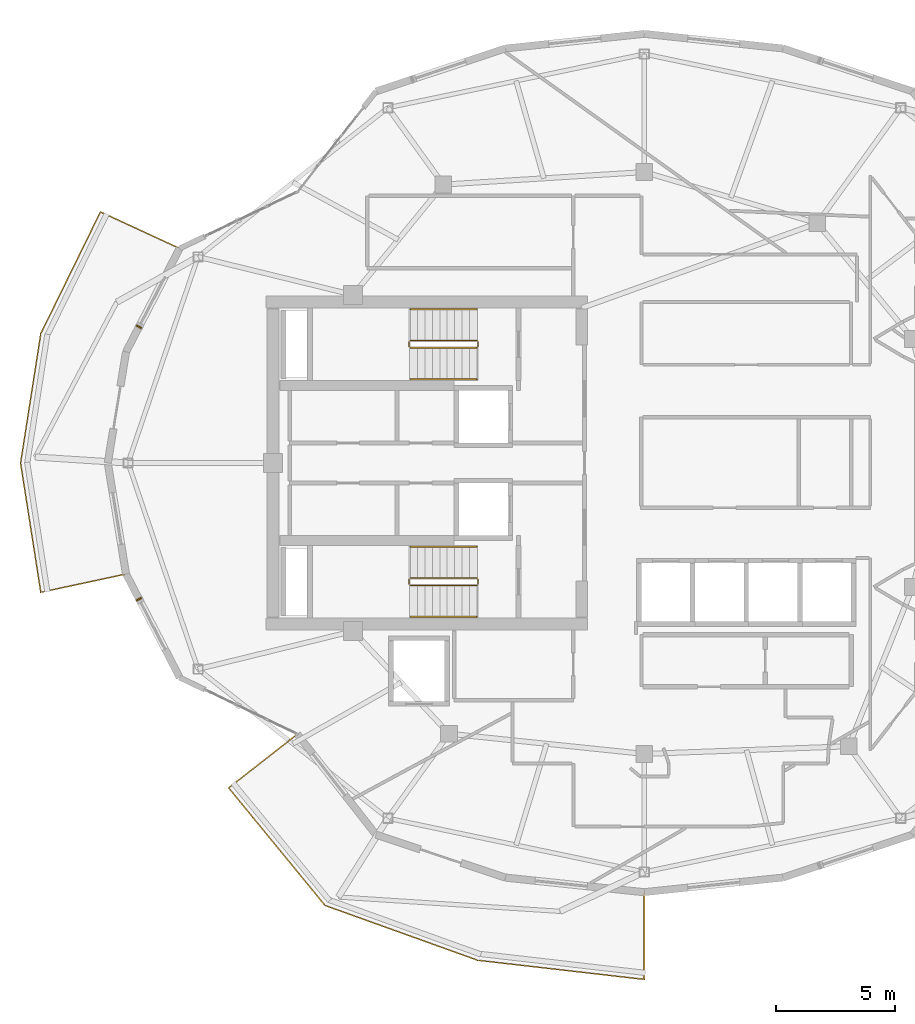
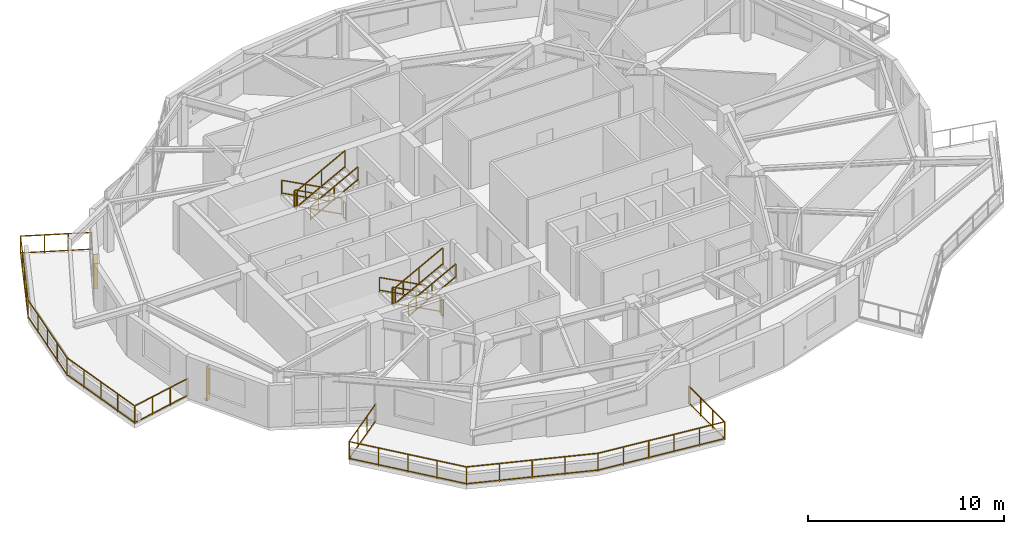
# One storey, part 12 of 14: 14 railings, 2 shading devices.
"""IFC4 building model written with IfcOpenShell, lengths in metres."""

from ifc_helpers import new_model, si_unit, direction, frame, origin, origin_2d, place, context, subcontext, project, spatial, rectangle, extrude, material, type_object, element, save


model = new_model("IFC4")

# Units and contexts
model_context = context("Model", 3, precision=1e-05, world=origin(), true_north=direction((0.0, 1.0)))
body_context = subcontext(model_context, "Body", "Model", "MODEL_VIEW")
ifc_project = project(units=[si_unit("LENGTHUNIT", "METRE"), si_unit("AREAUNIT", "SQUARE_METRE"), si_unit("VOLUMEUNIT", "CUBIC_METRE"), si_unit("PLANEANGLEUNIT", "RADIAN"), si_unit("MASSUNIT", "GRAM", prefix="KILO")], contexts=[model_context])

# Site, building, storey
site_placement = place(None, origin())
site = spatial("IfcSite", under=ifc_project, at=site_placement, CompositionType="ELEMENT")
building_placement = place(site_placement, origin())
building = spatial("IfcBuilding", under=site, at=building_placement, Name="Kolvaren Gate Tower and Convention Centre", CompositionType="ELEMENT")
storey_placement = place(building_placement, frame((0.0, 0.0, 252.5)))
storey = spatial("IfcBuildingStorey", under=building, at=storey_placement, Name="L68", CompositionType="ELEMENT", Elevation=252.5)

# Railings
ifc_material_1 = material(Name="Brushed Stainless Steel Grade 316L", Category="steel")
railing_type_1 = type_object("IfcRailingType", Name="ARCH-RL-GUARD-1150", PredefinedType="GUARDRAIL", material=ifc_material_1)
railing_1_placement = place(storey_placement, frame((23.10009765625, 32.1298828125, 0.1650390625)))
element("IfcRailing", 1, at=railing_1_placement, inside=storey, type_object=railing_type_1, Name="L68 ST-T1 stair guard 1", PredefinedType="GUARDRAIL", context=body_context, shape_type="SweptSolid", body=[
    extrude(rectangle(XDim=0.048095703125, YDim=0.048095703125, at=origin_2d()), frame((0.0, 0.0, 1.076171875), z_axis=(-0.882767428149, 0.0, 0.469810246588), x_axis=(0.0, -1.0, 0.0)), (0.0, 0.0, 1.0), 3.16064453125),
    extrude(rectangle(XDim=0.048095703125, YDim=0.048095703125, at=origin_2d()), frame((0.0, 0.0, 0.083984375), z_axis=(-0.882767428149, 0.0, 0.469810246588), x_axis=(0.0, -1.0, 0.0)), (0.0, 0.0, 1.0), 3.16064453125),
    extrude(rectangle(XDim=0.0419921875, YDim=0.0419921875, at=origin_2d()), origin(), (0.0, 0.0, 1.0), 1.050048828125),
    extrude(rectangle(XDim=0.0419921875, YDim=0.0419921875, at=origin_2d()), frame((-2.7900390625, 0.0, 1.48486328125)), (0.0, 0.0, 1.0), 1.050048828125),
    extrude(rectangle(XDim=0.0419921875, YDim=0.0419921875, at=origin_2d()), frame((-1.39501953125, 0.0, 0.742431640625)), (0.0, 0.0, 1.0), 1.050048828125),
])
railing_2_placement = place(storey_placement, frame((20.260009765625, 32.080078125, 1.64990234375)))
element("IfcRailing", 2, at=railing_2_placement, inside=storey, type_object=railing_type_1, Name="L68 ST-T1 stair guard 2", PredefinedType="GUARDRAIL", context=body_context, shape_type="SweptSolid", body=[
    extrude(rectangle(XDim=0.048095703125, YDim=0.048095703125, at=origin_2d()), frame((0.0, 0.0, 1.076171875), z_axis=(0.0, -1.0, 0.0), x_axis=(1.0, 0.0, 0.0)), (0.0, 0.0, 1.0), 0.2001953125),
    extrude(rectangle(XDim=0.048095703125, YDim=0.048095703125, at=origin_2d()), frame((0.0, 0.0, 0.083984375), z_axis=(0.0, -1.0, 0.0), x_axis=(1.0, 0.0, 0.0)), (0.0, 0.0, 1.0), 0.2001953125),
    extrude(rectangle(XDim=0.0419921875, YDim=0.0419921875, at=origin_2d()), origin(), (0.0, 0.0, 1.0), 1.050048828125),
    extrude(rectangle(XDim=0.0419921875, YDim=0.0419921875, at=origin_2d()), frame((0.0, -0.2001953125, 0.0)), (0.0, 0.0, 1.0), 1.050048828125),
])
railing_3_placement = place(storey_placement, frame((20.31005859375, 31.830078125, 1.81494140625)))
element("IfcRailing", 3, at=railing_3_placement, inside=storey, type_object=railing_type_1, Name="L68 ST-T1 stair guard 3", PredefinedType="GUARDRAIL", context=body_context, shape_type="SweptSolid", body=[
    extrude(rectangle(XDim=0.048095703125, YDim=0.048095703125, at=origin_2d()), frame((0.0, 0.0, 1.076171875), z_axis=(0.882735390775, 0.0, 0.469870439454), x_axis=(0.0, 1.0, 0.0)), (0.0, 0.0, 1.0), 3.16064453125),
    extrude(rectangle(XDim=0.048095703125, YDim=0.048095703125, at=origin_2d()), frame((0.0, 0.0, 0.083984375), z_axis=(0.882735390775, 0.0, 0.469870439454), x_axis=(0.0, 1.0, 0.0)), (0.0, 0.0, 1.0), 3.16064453125),
    extrude(rectangle(XDim=0.0419921875, YDim=0.0419921875, at=origin_2d()), origin(), (0.0, 0.0, 1.0), 1.050048828125),
    extrude(rectangle(XDim=0.0419921875, YDim=0.0419921875, at=origin_2d()), frame((2.7900390625, 0.0, 1.485107421875)), (0.0, 0.0, 1.0), 1.050048828125),
    extrude(rectangle(XDim=0.0419921875, YDim=0.0419921875, at=origin_2d()), frame((1.39501953125, 0.0, 0.74267578125)), (0.0, 0.0, 1.0), 1.050048828125),
])
railing_4_placement = place(storey_placement, frame((23.14990234375, 32.080078125, 0.0)))
element("IfcRailing", 4, at=railing_4_placement, inside=storey, type_object=railing_type_1, Name="L68 ST-T1 stair guard 4", PredefinedType="GUARDRAIL", context=body_context, shape_type="SweptSolid", body=[
    extrude(rectangle(XDim=0.048095703125, YDim=0.048095703125, at=origin_2d()), frame((0.0, 0.0, 1.076171875), z_axis=(0.0, -1.0, 0.0), x_axis=(1.0, 0.0, 0.0)), (0.0, 0.0, 1.0), 0.2001953125),
    extrude(rectangle(XDim=0.048095703125, YDim=0.048095703125, at=origin_2d()), frame((0.0, 0.0, 0.083984375), z_axis=(0.0, -1.0, 0.0), x_axis=(1.0, 0.0, 0.0)), (0.0, 0.0, 1.0), 0.2001953125),
    extrude(rectangle(XDim=0.0419921875, YDim=0.0419921875, at=origin_2d()), origin(), (0.0, 0.0, 1.0), 1.050048828125),
    extrude(rectangle(XDim=0.0419921875, YDim=0.0419921875, at=origin_2d()), frame((0.0, -0.2001953125, 0.0)), (0.0, 0.0, 1.0), 1.050048828125),
])
railing_5_placement = place(storey_placement, frame((23.10009765625, 22.169921875, 0.1650390625)))
element("IfcRailing", 5, at=railing_5_placement, inside=storey, type_object=railing_type_1, Name="L68 ST-T2 stair guard 1", PredefinedType="GUARDRAIL", context=body_context, shape_type="SweptSolid", body=[
    extrude(rectangle(XDim=0.048095703125, YDim=0.048095703125, at=origin_2d()), frame((0.0, 0.0, 1.076171875), z_axis=(-0.882767428149, 0.0, 0.469810246588), x_axis=(0.0, -1.0, 0.0)), (0.0, 0.0, 1.0), 3.16064453125),
    extrude(rectangle(XDim=0.048095703125, YDim=0.048095703125, at=origin_2d()), frame((0.0, 0.0, 0.083984375), z_axis=(-0.882767428149, 0.0, 0.469810246588), x_axis=(0.0, -1.0, 0.0)), (0.0, 0.0, 1.0), 3.16064453125),
    extrude(rectangle(XDim=0.0419921875, YDim=0.0419921875, at=origin_2d()), origin(), (0.0, 0.0, 1.0), 1.050048828125),
    extrude(rectangle(XDim=0.0419921875, YDim=0.0419921875, at=origin_2d()), frame((-2.7900390625, 0.0, 1.48486328125)), (0.0, 0.0, 1.0), 1.050048828125),
    extrude(rectangle(XDim=0.0419921875, YDim=0.0419921875, at=origin_2d()), frame((-1.39501953125, 0.0, 0.742431640625)), (0.0, 0.0, 1.0), 1.050048828125),
])
railing_6_placement = place(storey_placement, frame((20.260009765625, 22.1201171875, 1.64990234375)))
element("IfcRailing", 6, at=railing_6_placement, inside=storey, type_object=railing_type_1, Name="L68 ST-T2 stair guard 2", PredefinedType="GUARDRAIL", context=body_context, shape_type="SweptSolid", body=[
    extrude(rectangle(XDim=0.048095703125, YDim=0.048095703125, at=origin_2d()), frame((0.0, 0.0, 1.076171875), z_axis=(0.0, -1.0, 0.0), x_axis=(1.0, 0.0, 0.0)), (0.0, 0.0, 1.0), 0.2001953125),
    extrude(rectangle(XDim=0.048095703125, YDim=0.048095703125, at=origin_2d()), frame((0.0, 0.0, 0.083984375), z_axis=(0.0, -1.0, 0.0), x_axis=(1.0, 0.0, 0.0)), (0.0, 0.0, 1.0), 0.2001953125),
    extrude(rectangle(XDim=0.0419921875, YDim=0.0419921875, at=origin_2d()), origin(), (0.0, 0.0, 1.0), 1.050048828125),
    extrude(rectangle(XDim=0.0419921875, YDim=0.0419921875, at=origin_2d()), frame((0.0, -0.2001953125, 0.0)), (0.0, 0.0, 1.0), 1.050048828125),
])
railing_7_placement = place(storey_placement, frame((20.31005859375, 21.8701171875, 1.81494140625)))
element("IfcRailing", 7, at=railing_7_placement, inside=storey, type_object=railing_type_1, Name="L68 ST-T2 stair guard 3", PredefinedType="GUARDRAIL", context=body_context, shape_type="SweptSolid", body=[
    extrude(rectangle(XDim=0.048095703125, YDim=0.048095703125, at=origin_2d()), frame((0.0, 0.0, 1.076171875), z_axis=(0.882735390775, 0.0, 0.469870439454), x_axis=(0.0, 1.0, 0.0)), (0.0, 0.0, 1.0), 3.16064453125),
    extrude(rectangle(XDim=0.048095703125, YDim=0.048095703125, at=origin_2d()), frame((0.0, 0.0, 0.083984375), z_axis=(0.882735390775, 0.0, 0.469870439454), x_axis=(0.0, 1.0, 0.0)), (0.0, 0.0, 1.0), 3.16064453125),
    extrude(rectangle(XDim=0.0419921875, YDim=0.0419921875, at=origin_2d()), origin(), (0.0, 0.0, 1.0), 1.050048828125),
    extrude(rectangle(XDim=0.0419921875, YDim=0.0419921875, at=origin_2d()), frame((2.7900390625, 0.0, 1.485107421875)), (0.0, 0.0, 1.0), 1.050048828125),
    extrude(rectangle(XDim=0.0419921875, YDim=0.0419921875, at=origin_2d()), frame((1.39501953125, 0.0, 0.74267578125)), (0.0, 0.0, 1.0), 1.050048828125),
])
railing_8_placement = place(storey_placement, frame((23.14990234375, 22.1201171875, 0.0)))
element("IfcRailing", 8, at=railing_8_placement, inside=storey, type_object=railing_type_1, Name="L68 ST-T2 stair guard 4", PredefinedType="GUARDRAIL", context=body_context, shape_type="SweptSolid", body=[
    extrude(rectangle(XDim=0.048095703125, YDim=0.048095703125, at=origin_2d()), frame((0.0, 0.0, 1.076171875), z_axis=(0.0, -1.0, 0.0), x_axis=(1.0, 0.0, 0.0)), (0.0, 0.0, 1.0), 0.2001953125),
    extrude(rectangle(XDim=0.048095703125, YDim=0.048095703125, at=origin_2d()), frame((0.0, 0.0, 0.083984375), z_axis=(0.0, -1.0, 0.0), x_axis=(1.0, 0.0, 0.0)), (0.0, 0.0, 1.0), 0.2001953125),
    extrude(rectangle(XDim=0.0419921875, YDim=0.0419921875, at=origin_2d()), origin(), (0.0, 0.0, 1.0), 1.050048828125),
    extrude(rectangle(XDim=0.0419921875, YDim=0.0419921875, at=origin_2d()), frame((0.0, -0.2001953125, 0.0)), (0.0, 0.0, 1.0), 1.050048828125),
])
railing_9_placement = place(storey_placement, frame((10.639404296875, 36.0, 0.0)))
element("IfcRailing", 9, at=railing_9_placement, inside=storey, type_object=railing_type_1, Name="Tower L68 Terrace Perimeter Guardrail GR-2", PredefinedType="GUARDRAIL", context=body_context, shape_type="SweptSolid", body=[
    extrude(rectangle(XDim=0.048095703125, YDim=0.048095703125, at=origin_2d()), frame((-0.025390625, 0.01171875, 1.1259765625), z_axis=(-0.907846116663, 0.419303503993, 0.0), x_axis=(-0.419303503993, -0.907846116663, 0.0)), (0.0, 0.0, 1.0), 3.60400390625),
    extrude(rectangle(XDim=0.048095703125, YDim=0.048095703125, at=origin_2d()), frame((-0.025390625, 0.01171875, 0.083984375), z_axis=(-0.907846116663, 0.419303503993, 0.0), x_axis=(-0.419303503993, -0.907846116663, 0.0)), (0.0, 0.0, 1.0), 3.60400390625),
    extrude(rectangle(XDim=0.048095703125, YDim=0.048095703125, at=origin_2d()), frame((-3.335205078125, 1.509521484375, 1.1259765625), z_axis=(-0.440058847499, -0.897968936399, 0.0), x_axis=(0.897968936399, -0.440058847499, 0.0)), (0.0, 0.0, 1.0), 5.63330078125),
    extrude(rectangle(XDim=0.048095703125, YDim=0.048095703125, at=origin_2d()), frame((-3.335205078125, 1.509521484375, 0.083984375), z_axis=(-0.440058847499, -0.897968936399, 0.0), x_axis=(0.897968936399, -0.440058847499, 0.0)), (0.0, 0.0, 1.0), 5.63330078125),
    extrude(rectangle(XDim=0.048095703125, YDim=0.048095703125, at=origin_2d()), frame((-5.830810546875, -3.60205078125, 1.1259765625), z_axis=(-0.1543985789, -0.988008643097, 0.0), x_axis=(0.988008643097, -0.1543985789, 0.0)), (0.0, 0.0, 1.0), 5.435546875),
    extrude(rectangle(XDim=0.048095703125, YDim=0.048095703125, at=origin_2d()), frame((-5.830810546875, -3.60205078125, 0.083984375), z_axis=(-0.1543985789, -0.988008643097, 0.0), x_axis=(0.988008643097, -0.1543985789, 0.0)), (0.0, 0.0, 1.0), 5.435546875),
    extrude(rectangle(XDim=0.048095703125, YDim=0.048095703125, at=origin_2d()), frame((-6.669921875, -9.02783203125, 1.1259765625), z_axis=(0.1543985789, -0.988008643097, 0.0), x_axis=(0.988008643097, 0.1543985789, 0.0)), (0.0, 0.0, 1.0), 5.435546875),
    extrude(rectangle(XDim=0.048095703125, YDim=0.048095703125, at=origin_2d()), frame((-6.669921875, -9.02783203125, 0.083984375), z_axis=(0.1543985789, -0.988008643097, 0.0), x_axis=(0.988008643097, 0.1543985789, 0.0)), (0.0, 0.0, 1.0), 5.435546875),
    extrude(rectangle(XDim=0.048095703125, YDim=0.048095703125, at=origin_2d()), frame((-5.799072265625, -14.419921875, 1.1259765625), z_axis=(0.977788745232, 0.209592866525, 0.0), x_axis=(-0.209592866525, 0.977788745232, 0.0)), (0.0, 0.0, 1.0), 3.603759765625),
    extrude(rectangle(XDim=0.048095703125, YDim=0.048095703125, at=origin_2d()), frame((-5.799072265625, -14.419921875, 0.083984375), z_axis=(0.977788745232, 0.209592866525, 0.0), x_axis=(-0.209592866525, 0.977788745232, 0.0)), (0.0, 0.0, 1.0), 3.603759765625),
    extrude(rectangle(XDim=0.0419921875, YDim=0.0419921875, at=origin_2d()), origin(), (0.0, 0.0, 1.0), 1.14990234375),
    extrude(rectangle(XDim=0.0419921875, YDim=0.0419921875, at=origin_2d()), frame((-3.32275390625, 1.53466796875, 0.0)), (0.0, 0.0, 1.0), 1.14990234375),
    extrude(rectangle(XDim=0.0419921875, YDim=0.0419921875, at=origin_2d()), frame((-1.107666015625, 0.511474609375, 0.0)), (0.0, 0.0, 1.0), 1.099853515625),
    extrude(rectangle(XDim=0.0419921875, YDim=0.0419921875, at=origin_2d()), frame((-2.215087890625, 1.023193359375, 0.0)), (0.0, 0.0, 1.0), 1.099853515625),
    extrude(rectangle(XDim=0.0419921875, YDim=0.0419921875, at=origin_2d()), frame((-5.826416015625, -3.57421875, 0.0)), (0.0, 0.0, 1.0), 1.14990234375),
    extrude(rectangle(XDim=0.0419921875, YDim=0.0419921875, at=origin_2d()), frame((-3.94873046875, 0.25732421875, 0.0)), (0.0, 0.0, 1.0), 1.099853515625),
    extrude(rectangle(XDim=0.0419921875, YDim=0.0419921875, at=origin_2d()), frame((-4.57470703125, -1.019775390625, 0.0)), (0.0, 0.0, 1.0), 1.099853515625),
    extrude(rectangle(XDim=0.0419921875, YDim=0.0419921875, at=origin_2d()), frame((-5.200439453125, -2.296875, 0.0)), (0.0, 0.0, 1.0), 1.099853515625),
    extrude(rectangle(XDim=0.0419921875, YDim=0.0419921875, at=origin_2d()), frame((-6.67431640625, -9.0, 0.0)), (0.0, 0.0, 1.0), 1.14990234375),
    extrude(rectangle(XDim=0.0419921875, YDim=0.0419921875, at=origin_2d()), frame((-6.038330078125, -4.9306640625, 0.0)), (0.0, 0.0, 1.0), 1.099853515625),
    extrude(rectangle(XDim=0.0419921875, YDim=0.0419921875, at=origin_2d()), frame((-6.25048828125, -6.287109375, 0.0)), (0.0, 0.0, 1.0), 1.099853515625),
    extrude(rectangle(XDim=0.0419921875, YDim=0.0419921875, at=origin_2d()), frame((-6.46240234375, -7.6435546875, 0.0)), (0.0, 0.0, 1.0), 1.099853515625),
    extrude(rectangle(XDim=0.0419921875, YDim=0.0419921875, at=origin_2d()), frame((-5.826416015625, -14.42578125, 0.0)), (0.0, 0.0, 1.0), 1.14990234375),
    extrude(rectangle(XDim=0.0419921875, YDim=0.0419921875, at=origin_2d()), frame((-6.46240234375, -10.3564453125, 0.0)), (0.0, 0.0, 1.0), 1.099853515625),
    extrude(rectangle(XDim=0.0419921875, YDim=0.0419921875, at=origin_2d()), frame((-6.25048828125, -11.712890625, 0.0)), (0.0, 0.0, 1.0), 1.099853515625),
    extrude(rectangle(XDim=0.0419921875, YDim=0.0419921875, at=origin_2d()), frame((-6.038330078125, -13.0693359375, 0.0)), (0.0, 0.0, 1.0), 1.099853515625),
    extrude(rectangle(XDim=0.0419921875, YDim=0.0419921875, at=origin_2d()), frame((-2.247802734375, -13.65869140625, 0.0)), (0.0, 0.0, 1.0), 1.14990234375),
    extrude(rectangle(XDim=0.0419921875, YDim=0.0419921875, at=origin_2d()), frame((-4.633544921875, -14.170166015625, 0.0)), (0.0, 0.0, 1.0), 1.099853515625),
    extrude(rectangle(XDim=0.0419921875, YDim=0.0419921875, at=origin_2d()), frame((-3.440673828125, -13.914306640625, 0.0)), (0.0, 0.0, 1.0), 1.099853515625),
])
railing_10_placement = place(storey_placement, frame((15.57275390625, 15.629638671875, 0.0)))
element("IfcRailing", 10, at=railing_10_placement, inside=storey, type_object=railing_type_1, Name="Tower L68 Terrace Perimeter Guardrail GR-3", PredefinedType="GUARDRAIL", context=body_context, shape_type="SweptSolid", body=[
    extrude(rectangle(XDim=0.048095703125, YDim=0.048095703125, at=origin_2d()), frame((-0.022216796875, -0.017333984375, 1.1259765625), z_axis=(-0.787988976981, -0.61568934712, 0.0), x_axis=(0.61568934712, -0.787988976981, 0.0)), (0.0, 0.0, 1.0), 3.60400390625),
    extrude(rectangle(XDim=0.048095703125, YDim=0.048095703125, at=origin_2d()), frame((-0.022216796875, -0.017333984375, 0.083984375), z_axis=(-0.787988976981, -0.61568934712, 0.0), x_axis=(0.61568934712, -0.787988976981, 0.0)), (0.0, 0.0, 1.0), 3.60400390625),
    extrude(rectangle(XDim=0.048095703125, YDim=0.048095703125, at=origin_2d()), frame((-2.8662109375, -2.275146484375, 1.1259765625), z_axis=(0.634050293942, -0.773291810866, 0.0), x_axis=(0.773291810866, 0.634050293942, 0.0)), (0.0, 0.0, 1.0), 6.322509765625),
    extrude(rectangle(XDim=0.048095703125, YDim=0.048095703125, at=origin_2d()), frame((-2.8662109375, -2.275146484375, 0.083984375), z_axis=(0.634050293942, -0.773291810866, 0.0), x_axis=(0.773291810866, 0.634050293942, 0.0)), (0.0, 0.0, 1.0), 6.322509765625),
    extrude(rectangle(XDim=0.048095703125, YDim=0.048095703125, at=origin_2d()), frame((1.186767578125, -7.195556640625, 1.1259765625), z_axis=(0.941139090914, -0.338019543152, 0.0), x_axis=(0.338019543152, 0.941139090914, 0.0)), (0.0, 0.0, 1.0), 6.75048828125),
    extrude(rectangle(XDim=0.048095703125, YDim=0.048095703125, at=origin_2d()), frame((1.186767578125, -7.195556640625, 0.083984375), z_axis=(0.941139090914, -0.338019543152, 0.0), x_axis=(0.338019543152, 0.941139090914, 0.0)), (0.0, 0.0, 1.0), 6.75048828125),
    extrude(rectangle(XDim=0.048095703125, YDim=0.048095703125, at=origin_2d()), frame((7.59423828125, -9.489990234375, 1.1259765625), z_axis=(0.99346265417, -0.114157587437, 0.0), x_axis=(0.114157587437, 0.99346265417, 0.0)), (0.0, 0.0, 1.0), 6.975830078125),
    extrude(rectangle(XDim=0.048095703125, YDim=0.048095703125, at=origin_2d()), frame((7.59423828125, -9.489990234375, 0.083984375), z_axis=(0.99346265417, -0.114157587437, 0.0), x_axis=(0.114157587437, 0.99346265417, 0.0)), (0.0, 0.0, 1.0), 6.975830078125),
    extrude(rectangle(XDim=0.048095703125, YDim=0.048095703125, at=origin_2d()), frame((14.55224609375, -10.261474609375, 1.1259765625), z_axis=(0.0, 1.0, 0.0), x_axis=(-1.0, 0.0, 0.0)), (0.0, 0.0, 1.0), 3.603759765625),
    extrude(rectangle(XDim=0.048095703125, YDim=0.048095703125, at=origin_2d()), frame((14.55224609375, -10.261474609375, 0.083984375), z_axis=(0.0, 1.0, 0.0), x_axis=(-1.0, 0.0, 0.0)), (0.0, 0.0, 1.0), 3.603759765625),
    extrude(rectangle(XDim=0.0419921875, YDim=0.0419921875, at=origin_2d()), origin(), (0.0, 0.0, 1.0), 1.14990234375),
    extrude(rectangle(XDim=0.0419921875, YDim=0.0419921875, at=origin_2d()), frame((-2.884033203125, -2.25341796875, 0.0)), (0.0, 0.0, 1.0), 1.14990234375),
    extrude(rectangle(XDim=0.0419921875, YDim=0.0419921875, at=origin_2d()), frame((-0.96142578125, -0.751220703125, 0.0)), (0.0, 0.0, 1.0), 1.099853515625),
    extrude(rectangle(XDim=0.0419921875, YDim=0.0419921875, at=origin_2d()), frame((-1.922607421875, -1.502197265625, 0.0)), (0.0, 0.0, 1.0), 1.099853515625),
    extrude(rectangle(XDim=0.0419921875, YDim=0.0419921875, at=origin_2d()), frame((1.160400390625, -7.18603515625, 0.0)), (0.0, 0.0, 1.0), 1.14990234375),
    extrude(rectangle(XDim=0.0419921875, YDim=0.0419921875, at=origin_2d()), frame((-1.873046875, -3.486572265625, 0.0)), (0.0, 0.0, 1.0), 1.099853515625),
    extrude(rectangle(XDim=0.0419921875, YDim=0.0419921875, at=origin_2d()), frame((-0.86181640625, -4.7197265625, 0.0)), (0.0, 0.0, 1.0), 1.099853515625),
    extrude(rectangle(XDim=0.0419921875, YDim=0.0419921875, at=origin_2d()), frame((0.1494140625, -5.952880859375, 0.0)), (0.0, 0.0, 1.0), 1.099853515625),
    extrude(rectangle(XDim=0.0419921875, YDim=0.0419921875, at=origin_2d()), frame((7.56640625, -9.48681640625, 0.0)), (0.0, 0.0, 1.0), 1.14990234375),
    extrude(rectangle(XDim=0.0419921875, YDim=0.0419921875, at=origin_2d()), frame((2.761962890625, -7.76123046875, 0.0)), (0.0, 0.0, 1.0), 1.099853515625),
    extrude(rectangle(XDim=0.0419921875, YDim=0.0419921875, at=origin_2d()), frame((4.36328125, -8.33642578125, 0.0)), (0.0, 0.0, 1.0), 1.099853515625),
    extrude(rectangle(XDim=0.0419921875, YDim=0.0419921875, at=origin_2d()), frame((5.96484375, -8.91162109375, 0.0)), (0.0, 0.0, 1.0), 1.099853515625),
    extrude(rectangle(XDim=0.0419921875, YDim=0.0419921875, at=origin_2d()), frame((14.55224609375, -10.28955078125, 0.0)), (0.0, 0.0, 1.0), 1.14990234375),
    extrude(rectangle(XDim=0.0419921875, YDim=0.0419921875, at=origin_2d()), frame((8.963623046875, -9.6474609375, 0.0)), (0.0, 0.0, 1.0), 1.099853515625),
    extrude(rectangle(XDim=0.0419921875, YDim=0.0419921875, at=origin_2d()), frame((10.36083984375, -9.807861328125, 0.0)), (0.0, 0.0, 1.0), 1.099853515625),
    extrude(rectangle(XDim=0.0419921875, YDim=0.0419921875, at=origin_2d()), frame((11.7578125, -9.968505859375, 0.0)), (0.0, 0.0, 1.0), 1.099853515625),
    extrude(rectangle(XDim=0.0419921875, YDim=0.0419921875, at=origin_2d()), frame((13.155029296875, -10.12890625, 0.0)), (0.0, 0.0, 1.0), 1.099853515625),
    extrude(rectangle(XDim=0.0419921875, YDim=0.0419921875, at=origin_2d()), frame((14.55224609375, -6.629638671875, 0.0)), (0.0, 0.0, 1.0), 1.14990234375),
    extrude(rectangle(XDim=0.0419921875, YDim=0.0419921875, at=origin_2d()), frame((14.55224609375, -9.069580078125, 0.0)), (0.0, 0.0, 1.0), 1.099853515625),
    extrude(rectangle(XDim=0.0419921875, YDim=0.0419921875, at=origin_2d()), frame((14.55224609375, -7.849609375, 0.0)), (0.0, 0.0, 1.0), 1.099853515625),
])
railing_type_2 = type_object("IfcRailingType", Name="ARCH-RL-HANDRAIL-920", PredefinedType="HANDRAIL", material=ifc_material_1)
railing_11_placement = place(storey_placement, frame((23.10009765625, 33.449951171875, 0.1650390625)))
element("IfcRailing", 11, at=railing_11_placement, inside=storey, type_object=railing_type_2, Name="L68 ST-T1 stair handrail 1", PredefinedType="HANDRAIL", context=body_context, shape_type="SweptSolid", body=[
    extrude(rectangle(XDim=0.048095703125, YDim=0.048095703125, at=origin_2d()), frame((0.0, 0.0, 0.8759765625), z_axis=(-0.882767428149, 0.0, 0.469810246588), x_axis=(0.0, -1.0, 0.0)), (0.0, 0.0, 1.0), 3.16064453125),
    extrude(rectangle(XDim=0.048095703125, YDim=0.048095703125, at=origin_2d()), frame((0.0, 0.0, 0.083984375), z_axis=(-0.882767428149, 0.0, 0.469810246588), x_axis=(0.0, -1.0, 0.0)), (0.0, 0.0, 1.0), 3.16064453125),
    extrude(rectangle(XDim=0.0419921875, YDim=0.0419921875, at=origin_2d()), origin(), (0.0, 0.0, 1.0), 0.849853515625),
    extrude(rectangle(XDim=0.0419921875, YDim=0.0419921875, at=origin_2d()), frame((-2.7900390625, 0.0, 1.48486328125)), (0.0, 0.0, 1.0), 0.849853515625),
    extrude(rectangle(XDim=0.0419921875, YDim=0.0419921875, at=origin_2d()), frame((-1.39501953125, 0.0, 0.742431640625)), (0.0, 0.0, 1.0), 0.849853515625),
])
railing_12_placement = place(storey_placement, frame((20.31005859375, 30.510009765625, 1.81494140625)))
element("IfcRailing", 12, at=railing_12_placement, inside=storey, type_object=railing_type_2, Name="L68 ST-T1 stair handrail 2", PredefinedType="HANDRAIL", context=body_context, shape_type="SweptSolid", body=[
    extrude(rectangle(XDim=0.048095703125, YDim=0.048095703125, at=origin_2d()), frame((0.0, 0.0, 0.8759765625), z_axis=(0.882735390775, 0.0, 0.469870439454), x_axis=(0.0, 1.0, 0.0)), (0.0, 0.0, 1.0), 3.16064453125),
    extrude(rectangle(XDim=0.048095703125, YDim=0.048095703125, at=origin_2d()), frame((0.0, 0.0, 0.083984375), z_axis=(0.882735390775, 0.0, 0.469870439454), x_axis=(0.0, 1.0, 0.0)), (0.0, 0.0, 1.0), 3.16064453125),
    extrude(rectangle(XDim=0.0419921875, YDim=0.0419921875, at=origin_2d()), origin(), (0.0, 0.0, 1.0), 0.849853515625),
    extrude(rectangle(XDim=0.0419921875, YDim=0.0419921875, at=origin_2d()), frame((2.7900390625, 0.0, 1.485107421875)), (0.0, 0.0, 1.0), 0.849853515625),
    extrude(rectangle(XDim=0.0419921875, YDim=0.0419921875, at=origin_2d()), frame((1.39501953125, 0.0, 0.74267578125)), (0.0, 0.0, 1.0), 0.849853515625),
])
railing_13_placement = place(storey_placement, frame((23.10009765625, 23.489990234375, 0.1650390625)))
element("IfcRailing", 13, at=railing_13_placement, inside=storey, type_object=railing_type_2, Name="L68 ST-T2 stair handrail 1", PredefinedType="HANDRAIL", context=body_context, shape_type="SweptSolid", body=[
    extrude(rectangle(XDim=0.048095703125, YDim=0.048095703125, at=origin_2d()), frame((0.0, 0.0, 0.8759765625), z_axis=(-0.882767428149, 0.0, 0.469810246588), x_axis=(0.0, -1.0, 0.0)), (0.0, 0.0, 1.0), 3.16064453125),
    extrude(rectangle(XDim=0.048095703125, YDim=0.048095703125, at=origin_2d()), frame((0.0, 0.0, 0.083984375), z_axis=(-0.882767428149, 0.0, 0.469810246588), x_axis=(0.0, -1.0, 0.0)), (0.0, 0.0, 1.0), 3.16064453125),
    extrude(rectangle(XDim=0.0419921875, YDim=0.0419921875, at=origin_2d()), origin(), (0.0, 0.0, 1.0), 0.849853515625),
    extrude(rectangle(XDim=0.0419921875, YDim=0.0419921875, at=origin_2d()), frame((-2.7900390625, 0.0, 1.48486328125)), (0.0, 0.0, 1.0), 0.849853515625),
    extrude(rectangle(XDim=0.0419921875, YDim=0.0419921875, at=origin_2d()), frame((-1.39501953125, 0.0, 0.742431640625)), (0.0, 0.0, 1.0), 0.849853515625),
])
railing_14_placement = place(storey_placement, frame((20.31005859375, 20.550048828125, 1.81494140625)))
element("IfcRailing", 14, at=railing_14_placement, inside=storey, type_object=railing_type_2, Name="L68 ST-T2 stair handrail 2", PredefinedType="HANDRAIL", context=body_context, shape_type="SweptSolid", body=[
    extrude(rectangle(XDim=0.048095703125, YDim=0.048095703125, at=origin_2d()), frame((0.0, 0.0, 0.8759765625), z_axis=(0.882735390775, 0.0, 0.469870439454), x_axis=(0.0, 1.0, 0.0)), (0.0, 0.0, 1.0), 3.16064453125),
    extrude(rectangle(XDim=0.048095703125, YDim=0.048095703125, at=origin_2d()), frame((0.0, 0.0, 0.083984375), z_axis=(0.882735390775, 0.0, 0.469870439454), x_axis=(0.0, 1.0, 0.0)), (0.0, 0.0, 1.0), 3.16064453125),
    extrude(rectangle(XDim=0.0419921875, YDim=0.0419921875, at=origin_2d()), origin(), (0.0, 0.0, 1.0), 0.849853515625),
    extrude(rectangle(XDim=0.0419921875, YDim=0.0419921875, at=origin_2d()), frame((2.7900390625, 0.0, 1.485107421875)), (0.0, 0.0, 1.0), 0.849853515625),
    extrude(rectangle(XDim=0.0419921875, YDim=0.0419921875, at=origin_2d()), frame((1.39501953125, 0.0, 0.74267578125)), (0.0, 0.0, 1.0), 0.849853515625),
])

# Shading devices
ifc_material_2 = material(Name="Kiln-Fired Bogota Terracotta Ceramic Louvre Profile", Category="masonry")
shading_device_type = type_object("IfcShadingDeviceType", Name="ARCH-SHD-FIN-180", PredefinedType="JALOUSIE", material=ifc_material_2)
for number, where, z_axis, x_axis, name in (
    (15, (8.93603515625, 32.710205078125, 0.219970703125), (0.0, 0.0, 1.0), (0.459778260738, 0.888033755525, 0.0), "Ceramic Vertical Brise-Soleil Fin FN-L68-10"),
    (16, (8.93603515625, 21.289794921875, 0.219970703125), (0.0, 0.0, 1.0), (0.459778260738, -0.888033755525, 0.0), "Ceramic Vertical Brise-Soleil Fin FN-L68-13"),
):
    element("IfcShadingDevice", number, at=place(storey_placement, frame(where, z_axis=z_axis, x_axis=x_axis)), inside=storey, type_object=shading_device_type, Name=name, PredefinedType="JALOUSIE", context=body_context, shape_type="SweptSolid", body=[
        extrude(rectangle(XDim=0.06005859375, YDim=0.239990234375, at=origin_2d()), origin(), (0.0, 0.0, 1.0), 2.14990234375),
    ])

save(model, "model.ifc")
